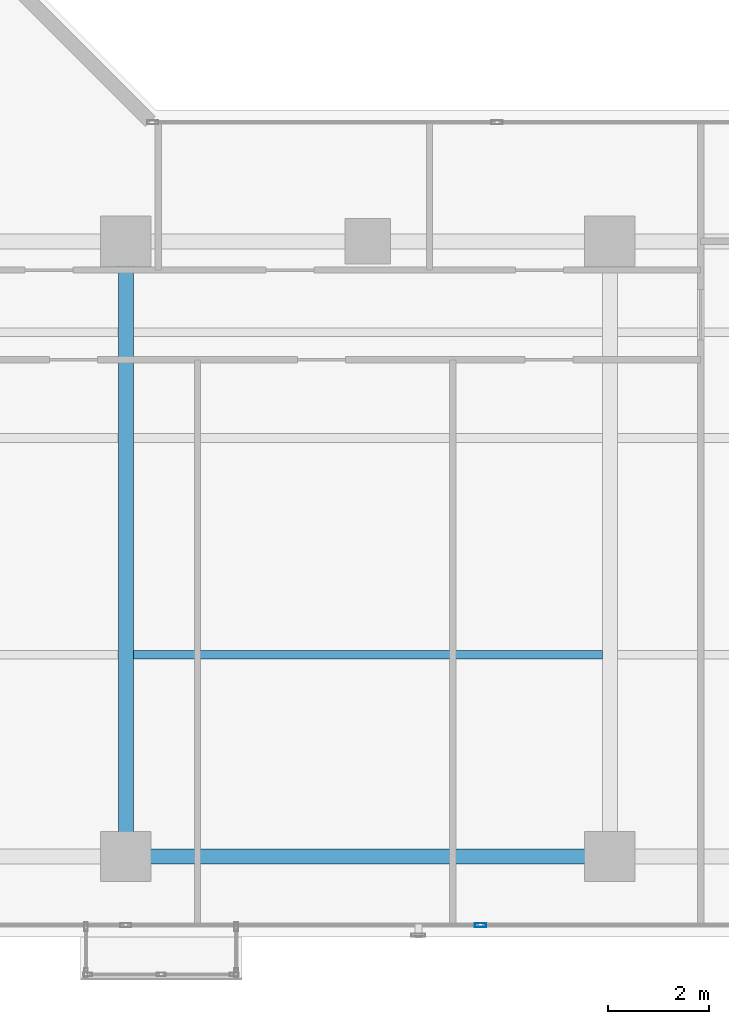
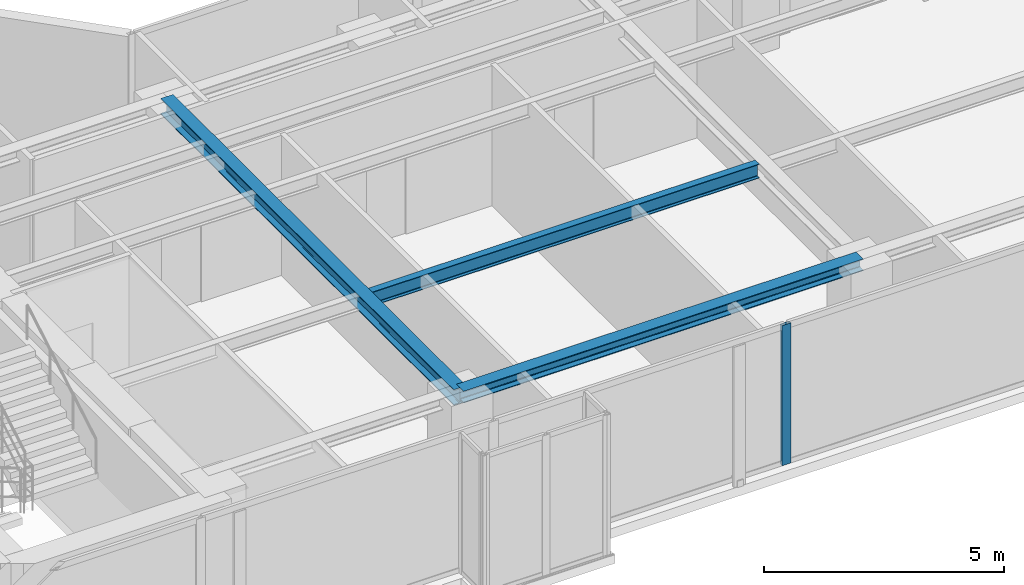
# One storey, part 5 of 23: 3 beams, 1 member, 1 element without a shape of its own.
"""IFC4 building model written with IfcOpenShell, lengths in metres."""

from ifc_helpers import new_model, si_unit, direction, frame, origin, origin_with_axes, origin_2d, place, context, subcontext, project, spatial, hollow_rectangle, i_section, extrude, source, transform, mapped, material, layer, layer_set, material_profile, profile_set, type_object, element, aggregate, save


model = new_model("IFC4")

# Units and contexts
model_context = context("Model", 3, precision=1e-05, world=origin(), true_north=direction((0.0, 1.0)))
body_context = subcontext(model_context, "Body", "Model", "MODEL_VIEW")
ifc_project = project(units=[si_unit("LENGTHUNIT", "METRE"), si_unit("AREAUNIT", "SQUARE_METRE"), si_unit("VOLUMEUNIT", "CUBIC_METRE"), si_unit("PLANEANGLEUNIT", "RADIAN"), si_unit("MASSUNIT", "GRAM", prefix="KILO")], contexts=[model_context])

# Site, building, storey
site_placement = place(None, origin())
site = spatial("IfcSite", under=ifc_project, at=site_placement, CompositionType="ELEMENT")
building_placement = place(site_placement, origin())
building = spatial("IfcBuilding", under=site, at=building_placement, Name="Kolvaren Waterfront Exchange", CompositionType="ELEMENT")
storey_placement = place(building_placement, frame((0.0, 0.0, 215.89990234375)))
storey = spatial("IfcBuildingStorey", under=building, at=storey_placement, Name="L55", CompositionType="ELEMENT", Elevation=215.89990234375)

# Beams
ifc_material_1 = material(Name="Steel S355", Category="steel")
ifc_material_profile_1 = material_profile(ifc_material_1, i_section(OverallWidth=0.300048828125, OverallDepth=0.300048828125, WebThickness=0.010986328125, FlangeThickness=0.01904296875, FilletRadius=0.027099609375, at=origin_2d()), Name="HEB300")
ifc_profile_set_1 = profile_set([ifc_material_profile_1], Name="Steel S355")
beam_type_1 = type_object("IfcBeamType", Name="STR-BM-HEB300", PredefinedType="SPANDREL", material=ifc_profile_set_1)
beam_1_placement = place(storey_placement, frame((27.199951171875, 5.199951171875, 3.41015625), z_axis=(1.0, 0.0, 0.0), x_axis=(0.0, 1.0, 0.0)))
element("IfcBeam", 1, at=beam_1_placement, inside=storey, type_object=beam_type_1, Name="L55 east-arm spandrel S2", PredefinedType="SPANDREL", context=body_context, shape_type="SweptSolid", body=[
    extrude(i_section(OverallWidth=0.300048828125, OverallDepth=0.300048828125, WebThickness=0.010986328125, FlangeThickness=0.01904296875, FilletRadius=0.027099609375, at=origin_2d()), origin(), (0.0, 0.0, 1.0), 9.60009765625),
])
ifc_material_profile_2 = material_profile(ifc_material_1, i_section(OverallWidth=0.300048828125, OverallDepth=0.39990234375, WebThickness=0.013427734375, FlangeThickness=0.02392578125, FilletRadius=0.027099609375, at=origin_2d()), Name="HEB400")
ifc_profile_set_2 = profile_set([ifc_material_profile_2], Name="Steel S355")
beam_type_2 = type_object("IfcBeamType", Name="STR-BM-HEB400", PredefinedType="BEAM", material=ifc_profile_set_2)
beam_2_placement = place(storey_placement, frame((27.199951171875, 5.199951171875, 3.360107421875), z_axis=(0.0, 1.0, 0.0), x_axis=(-1.0, 0.0, 0.0)))
element("IfcBeam", 2, at=beam_2_placement, inside=storey, type_object=beam_type_2, Name="L55 east-arm transverse girder X27", PredefinedType="BEAM", context=body_context, shape_type="SweptSolid", body=[
    extrude(i_section(OverallWidth=0.300048828125, OverallDepth=0.39990234375, WebThickness=0.013427734375, FlangeThickness=0.02392578125, FilletRadius=0.027099609375, at=origin_2d()), origin(), (0.0, 0.0, 1.0), 12.199951171875),
])
ifc_material_profile_3 = material_profile(ifc_material_1, i_section(OverallWidth=0.169921875, OverallDepth=0.360107421875, WebThickness=0.008056640625, FlangeThickness=0.0126953125, FilletRadius=0.01806640625, at=origin_2d()), Name="IPE360")
ifc_profile_set_3 = profile_set([ifc_material_profile_3], Name="Steel S355")
beam_type_3 = type_object("IfcBeamType", Name="STR-BM-IPE360", PredefinedType="JOIST", material=ifc_profile_set_3)
beam_3_placement = place(storey_placement, frame((27.35205078125, 9.199951171875, 3.380126953125), z_axis=(1.0, 0.0, 0.0), x_axis=(0.0, 1.0, 0.0)))
element("IfcBeam", 3, at=beam_3_placement, inside=storey, type_object=beam_type_3, Name="L55 east-arm composite joist 2B", PredefinedType="JOIST", context=body_context, shape_type="SweptSolid", body=[
    extrude(i_section(OverallWidth=0.169921875, OverallDepth=0.360107421875, WebThickness=0.008056640625, FlangeThickness=0.0126953125, FilletRadius=0.01806640625, at=origin_2d()), origin(), (0.0, 0.0, 1.0), 9.2958984375),
])

# Curtain wall, member
ifc_material_2 = material(Name="Anodised bronze aluminium 6063-T6", Category="aluminium")
ifc_layer = layer(ifc_material_2, 0.219970703125, Name="Anodised bronze aluminium 6063-T6")
ifc_layer_set = layer_set([ifc_layer], Name="Anodised bronze aluminium 6063-T6")
curtain_wall_type = type_object("IfcCurtainWallType", Name="ARC-CW-SYS1", PredefinedType="USERDEFINED", material=ifc_layer_set)
curtain_wall_placement = place(storey_placement, origin())
curtain_wall = element("IfcCurtainWall", 4, at=curtain_wall_placement, inside=storey, type_object=curtain_wall_type, Name="L55 stick curtain wall CW1 (CW-L55-S)", ObjectType="STICK CURTAIN WALL", PredefinedType="USERDEFINED")
ifc_material_3 = material(Name="Anodised aluminium 6063-T6", Category="aluminium")
ifc_material_profile_4 = material_profile(ifc_material_3, hollow_rectangle(XDim=0.080078125, YDim=0.219970703125, WallThickness=0.0048828125, at=origin_2d()), Name="ALU-MUL-220x80x5")
ifc_profile_set_4 = profile_set([ifc_material_profile_4], Name="Anodised aluminium 6063-T6")
member_type = type_object("IfcMemberType", Name="ARC-CWM-220", PredefinedType="MULLION", material=ifc_profile_set_4)
shared_shape = source(origin_with_axes(), body_context, "Body", "SweptSolid", [
    extrude(hollow_rectangle(XDim=0.080078125, YDim=0.219970703125, WallThickness=0.0048828125, at=origin_2d()), origin(), (0.0, 0.0, 1.0), 3.56005859375),
])
member_placement = place(storey_placement, frame((34.2333984375, 3.840087890625, 0.0), z_axis=(0.0, 0.0, 1.0), x_axis=(0.0, 1.0, 0.0)))
member = element("IfcMember", 5, at=member_placement, type_object=member_type, Name="CW1 mullion 5", PredefinedType="MULLION", context=body_context, shape_type="MappedRepresentation", body=[
    mapped(shared_shape, transform((0.0, 0.0, 0.0), x_axis=(1.0, 0.0, 0.0), y_axis=(0.0, 1.0, 0.0), z_axis=(0.0, 0.0, 1.0), scale=1.0)),
])
aggregate(curtain_wall, [member])

save(model, "model.ifc")
